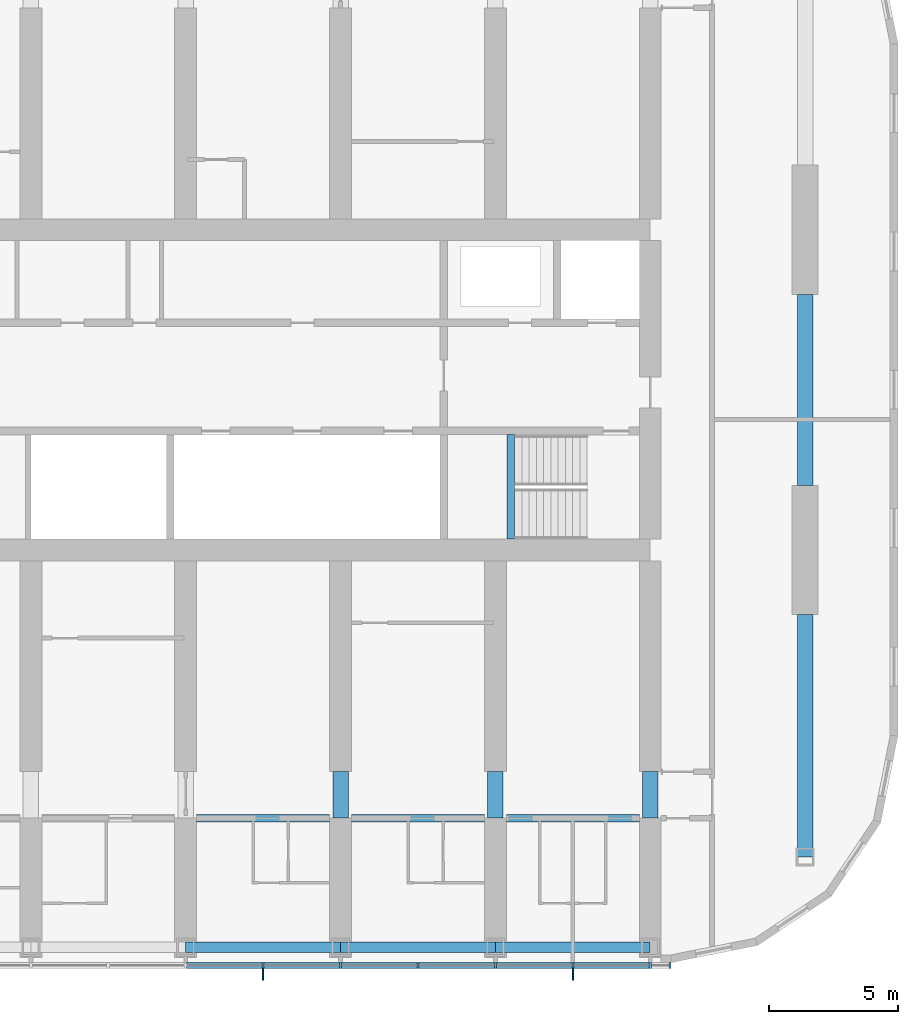
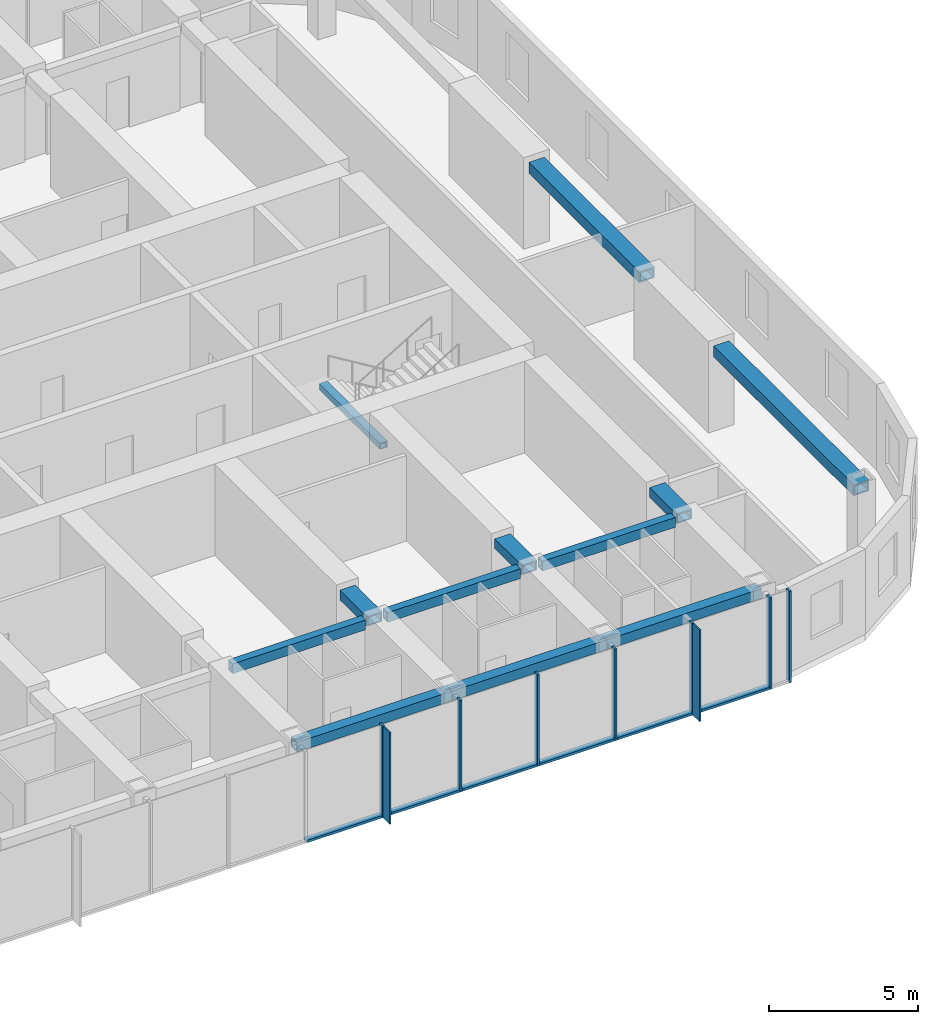
# One storey, part 3 of 22: 15 members, 12 beams, 1 element without a shape of its own.
"""IFC4 building model written with IfcOpenShell, lengths in metres."""

from ifc_helpers import new_model, si_unit, direction, frame, origin, origin_2d, place, context, subcontext, project, spatial, rectangle, hollow_rectangle, extrude, material, material_profile, profile_set, type_object, element, aggregate, save


model = new_model("IFC4")

# Units and contexts
model_context = context("Model", 3, precision=1e-05, world=origin(), true_north=direction((0.0, 1.0)))
body_context = subcontext(model_context, "Body", "Model", "MODEL_VIEW")
ifc_project = project(units=[si_unit("LENGTHUNIT", "METRE"), si_unit("AREAUNIT", "SQUARE_METRE"), si_unit("VOLUMEUNIT", "CUBIC_METRE"), si_unit("PLANEANGLEUNIT", "RADIAN"), si_unit("MASSUNIT", "GRAM", prefix="KILO")], contexts=[model_context])

# Site, building, storey
site_placement = place(None, origin())
site = spatial("IfcSite", under=ifc_project, at=site_placement, CompositionType="ELEMENT")
building_placement = place(site_placement, origin())
building = spatial("IfcBuilding", under=site, at=building_placement, Name="Orbita Commons", CompositionType="ELEMENT")
storey_placement = place(building_placement, frame((0.0, 0.0, 182.35009765625)))
storey = spatial("IfcBuildingStorey", under=building, at=storey_placement, Name="L45", CompositionType="ELEMENT", Elevation=182.35009765625)

# Curtain wall, members
ifc_material_1 = material(Name="Anodised aluminium frame, pale silver", Category="aluminium")
curtain_wall_type = type_object("IfcCurtainWallType", Name="Unitised curtain wall CW-U, full-height vision", PredefinedType="NOTDEFINED", material=ifc_material_1)
curtain_wall_placement = place(storey_placement, origin())
curtain_wall = element("IfcCurtainWall", 1, at=curtain_wall_placement, inside=storey, type_object=curtain_wall_type, Name="Curtain wall south L45", PredefinedType="NOTDEFINED")
ifc_material_2 = material(Name="Anodised aluminium, pale silver", Category="aluminium")
ifc_material_profile_1 = material_profile(ifc_material_2, rectangle(XDim=0.080078125, YDim=0.219970703125, at=origin_2d()), Name="AL 80x220")
ifc_profile_set_1 = profile_set([ifc_material_profile_1], Name="Anodised aluminium, pale silver")
member_type_1 = type_object("IfcMemberType", Name="Curtain wall mullion 80x220", PredefinedType="MULLION", material=ifc_profile_set_1)
member_1_placement = place(storey_placement, frame((51.0, 9.68994140625, -0.25), z_axis=(0.0, 0.0, 1.0), x_axis=(1.0, 0.0, 0.0)))
member_1 = element("IfcMember", 2, at=member_1_placement, type_object=member_type_1, Name="Mullion 13 CW-L45-S", PredefinedType="MULLION", context=body_context, shape_type="SweptSolid", body=[
    extrude(rectangle(XDim=0.080078125, YDim=0.219970703125, at=origin_2d()), origin(), (0.0, 0.0, 1.0), 3.75),
])
member_2_placement = place(storey_placement, frame((54.0, 9.68994140625, -0.25), z_axis=(0.0, 0.0, 1.0), x_axis=(1.0, 0.0, 0.0)))
member_2 = element("IfcMember", 3, at=member_2_placement, type_object=member_type_1, Name="Mullion 14 CW-L45-S", PredefinedType="MULLION", context=body_context, shape_type="SweptSolid", body=[
    extrude(rectangle(XDim=0.080078125, YDim=0.219970703125, at=origin_2d()), origin(), (0.0, 0.0, 1.0), 3.75),
])
member_3_placement = place(storey_placement, frame((57.0, 9.68994140625, -0.25), z_axis=(0.0, 0.0, 1.0), x_axis=(1.0, 0.0, 0.0)))
member_3 = element("IfcMember", 4, at=member_3_placement, type_object=member_type_1, Name="Mullion 15 CW-L45-S", PredefinedType="MULLION", context=body_context, shape_type="SweptSolid", body=[
    extrude(rectangle(XDim=0.080078125, YDim=0.219970703125, at=origin_2d()), origin(), (0.0, 0.0, 1.0), 3.75),
])
member_4_placement = place(storey_placement, frame((60.0, 9.68994140625, -0.25), z_axis=(0.0, 0.0, 1.0), x_axis=(1.0, 0.0, 0.0)))
member_4 = element("IfcMember", 5, at=member_4_placement, type_object=member_type_1, Name="Mullion 16 CW-L45-S", PredefinedType="MULLION", context=body_context, shape_type="SweptSolid", body=[
    extrude(rectangle(XDim=0.080078125, YDim=0.219970703125, at=origin_2d()), origin(), (0.0, 0.0, 1.0), 3.75),
])
member_5_placement = place(storey_placement, frame((63.0, 9.68994140625, -0.25), z_axis=(0.0, 0.0, 1.0), x_axis=(1.0, 0.0, 0.0)))
member_5 = element("IfcMember", 6, at=member_5_placement, type_object=member_type_1, Name="Mullion 17 CW-L45-S", PredefinedType="MULLION", context=body_context, shape_type="SweptSolid", body=[
    extrude(rectangle(XDim=0.080078125, YDim=0.219970703125, at=origin_2d()), origin(), (0.0, 0.0, 1.0), 3.75),
])
member_6_placement = place(storey_placement, frame((66.0, 9.68994140625, -0.25), z_axis=(0.0, 0.0, 1.0), x_axis=(1.0, 0.0, 0.0)))
member_6 = element("IfcMember", 7, at=member_6_placement, type_object=member_type_1, Name="Mullion 18 CW-L45-S", PredefinedType="MULLION", context=body_context, shape_type="SweptSolid", body=[
    extrude(rectangle(XDim=0.080078125, YDim=0.219970703125, at=origin_2d()), origin(), (0.0, 0.0, 1.0), 3.75),
])
member_7_placement = place(storey_placement, frame((66.760009765625, 9.68994140625, -0.25), z_axis=(0.0, 0.0, 1.0), x_axis=(1.0, 0.0, 0.0)))
member_7 = element("IfcMember", 8, at=member_7_placement, type_object=member_type_1, Name="Mullion 19 CW-L45-S", PredefinedType="MULLION", context=body_context, shape_type="SweptSolid", body=[
    extrude(rectangle(XDim=0.080078125, YDim=0.219970703125, at=origin_2d()), origin(), (0.0, 0.0, 1.0), 3.75),
])
ifc_material_3 = material(Name="Anodised aluminium, pale silver", Category="aluminium")
ifc_material_profile_2 = material_profile(ifc_material_3, rectangle(XDim=0.219970703125, YDim=0.10009765625, at=origin_2d()), Name="AL 220x100")
ifc_profile_set_2 = profile_set([ifc_material_profile_2], Name="Anodised aluminium, pale silver")
member_type_2 = type_object("IfcMemberType", Name="Curtain wall stack transom 220x100", PredefinedType="USERDEFINED", material=ifc_profile_set_2)
member_8_placement = place(storey_placement, frame((48.0400390625, 9.68994140625, -0.2001953125), z_axis=(1.0, 0.0, 0.0), x_axis=(0.0, 1.0, 0.0)))
member_8 = element("IfcMember", 9, at=member_8_placement, type_object=member_type_2, Name="Transom 12.1 CW-L45-S", ObjectType="TRANSOM", PredefinedType="USERDEFINED", context=body_context, shape_type="SweptSolid", body=[
    extrude(rectangle(XDim=0.219970703125, YDim=0.10009765625, at=origin_2d()), origin(), (0.0, 0.0, 1.0), 2.919921875),
])
member_9_placement = place(storey_placement, frame((51.0400390625, 9.68994140625, -0.2001953125), z_axis=(1.0, 0.0, 0.0), x_axis=(0.0, 1.0, 0.0)))
member_9 = element("IfcMember", 10, at=member_9_placement, type_object=member_type_2, Name="Transom 13.1 CW-L45-S", ObjectType="TRANSOM", PredefinedType="USERDEFINED", context=body_context, shape_type="SweptSolid", body=[
    extrude(rectangle(XDim=0.219970703125, YDim=0.10009765625, at=origin_2d()), origin(), (0.0, 0.0, 1.0), 2.919921875),
])
member_10_placement = place(storey_placement, frame((54.0400390625, 9.68994140625, -0.2001953125), z_axis=(1.0, 0.0, 0.0), x_axis=(0.0, 1.0, 0.0)))
member_10 = element("IfcMember", 11, at=member_10_placement, type_object=member_type_2, Name="Transom 14.1 CW-L45-S", ObjectType="TRANSOM", PredefinedType="USERDEFINED", context=body_context, shape_type="SweptSolid", body=[
    extrude(rectangle(XDim=0.219970703125, YDim=0.10009765625, at=origin_2d()), origin(), (0.0, 0.0, 1.0), 2.919921875),
])
member_11_placement = place(storey_placement, frame((57.0400390625, 9.68994140625, -0.2001953125), z_axis=(1.0, 0.0, 0.0), x_axis=(0.0, 1.0, 0.0)))
member_11 = element("IfcMember", 12, at=member_11_placement, type_object=member_type_2, Name="Transom 15.1 CW-L45-S", ObjectType="TRANSOM", PredefinedType="USERDEFINED", context=body_context, shape_type="SweptSolid", body=[
    extrude(rectangle(XDim=0.219970703125, YDim=0.10009765625, at=origin_2d()), origin(), (0.0, 0.0, 1.0), 2.919921875),
])
member_12_placement = place(storey_placement, frame((60.0400390625, 9.68994140625, -0.2001953125), z_axis=(1.0, 0.0, 0.0), x_axis=(0.0, 1.0, 0.0)))
member_12 = element("IfcMember", 13, at=member_12_placement, type_object=member_type_2, Name="Transom 16.1 CW-L45-S", ObjectType="TRANSOM", PredefinedType="USERDEFINED", context=body_context, shape_type="SweptSolid", body=[
    extrude(rectangle(XDim=0.219970703125, YDim=0.10009765625, at=origin_2d()), origin(), (0.0, 0.0, 1.0), 2.919921875),
])
member_13_placement = place(storey_placement, frame((63.0400390625, 9.68994140625, -0.2001953125), z_axis=(1.0, 0.0, 0.0), x_axis=(0.0, 1.0, 0.0)))
member_13 = element("IfcMember", 14, at=member_13_placement, type_object=member_type_2, Name="Transom 17.1 CW-L45-S", ObjectType="TRANSOM", PredefinedType="USERDEFINED", context=body_context, shape_type="SweptSolid", body=[
    extrude(rectangle(XDim=0.219970703125, YDim=0.10009765625, at=origin_2d()), origin(), (0.0, 0.0, 1.0), 2.919921875),
])

# Beams
ifc_material_4 = material(Name="Steel ASTM A572 Gr 50 welded plate", Category="steel")
ifc_material_profile_3 = material_profile(ifc_material_4, hollow_rectangle(XDim=0.300048828125, YDim=0.25, WallThickness=0.02490234375, at=origin_2d()), Name="BOX 250x300x25")
ifc_profile_set_3 = profile_set([ifc_material_profile_3], Name="Steel ASTM A572 Gr 50 welded plate")
beam_type_1 = type_object("IfcBeamType", Name="Stair landing beam steel BOX 250x300x25", PredefinedType="BEAM", material=ifc_profile_set_3)
beam_1_placement = place(storey_placement, frame((60.60009765625, 26.2099609375, 1.5498046875), z_axis=(0.0, 1.0, 0.0), x_axis=(-1.0, 0.0, 0.0)))
element("IfcBeam", 15, at=beam_1_placement, inside=storey, type_object=beam_type_1, Name="Stair S2 landing beam L45 1", PredefinedType="BEAM", context=body_context, shape_type="SweptSolid", body=[
    extrude(hollow_rectangle(XDim=0.300048828125, YDim=0.25, WallThickness=0.02490234375, at=origin_2d()), origin(), (0.0, 0.0, 1.0), 4.054931640625),
])
ifc_material_5 = material(Name="Steel ASTM A572 Gr 50 welded plate", Category="steel")
ifc_material_profile_4 = material_profile(ifc_material_5, hollow_rectangle(XDim=0.300048828125, YDim=0.39990234375, WallThickness=0.0400390625, at=origin_2d()), Name="BOX 400x300x40")
ifc_profile_set_4 = profile_set([ifc_material_profile_4], Name="Steel ASTM A572 Gr 50 welded plate")
beam_type_2 = type_object("IfcBeamType", Name="Steel corridor link BOX 400x300x40", PredefinedType="BEAM", material=ifc_profile_set_4)
for number, where, z_axis, x_axis, name in (
    (16, (48.425048828125, 15.39990234375, 3.2998046875), (1.0, 0.0, 0.0), (0.0, 1.0, 0.0), "Corridor beam SA 9-10 L45"),
    (17, (54.425048828125, 15.39990234375, 3.2998046875), (1.0, 0.0, 0.0), (0.0, 1.0, 0.0), "Corridor beam SA 10-11 L45"),
    (18, (60.425048828125, 15.39990234375, 3.2998046875), (1.0, 0.0, 0.0), (0.0, 1.0, 0.0), "Corridor beam SA 11-12 L45"),
):
    element("IfcBeam", number, at=place(storey_placement, frame(where, z_axis=z_axis, x_axis=x_axis)), inside=storey, type_object=beam_type_2, Name=name, PredefinedType="BEAM", context=body_context, shape_type="SweptSolid", body=[
        extrude(hollow_rectangle(XDim=0.300048828125, YDim=0.39990234375, WallThickness=0.0400390625, at=origin_2d()), origin(), (0.0, 0.0, 1.0), 5.14990234375),
    ])
ifc_material_6 = material(Name="Steel ASTM A572 Gr 50 welded plate", Category="steel")
ifc_material_profile_5 = material_profile(ifc_material_6, hollow_rectangle(XDim=0.60009765625, YDim=0.39990234375, WallThickness=0.050048828125, at=origin_2d()), Name="BOX 400x600x50")
ifc_profile_set_5 = profile_set([ifc_material_profile_5], Name="Steel ASTM A572 Gr 50 welded plate")
beam_type_3 = type_object("IfcBeamType", Name="Steel coupling link BOX 400x600x50", PredefinedType="LINTEL", material=ifc_profile_set_5)
for number, where, z_axis, x_axis, name in (
    (19, (54.0, 15.39990234375, 3.2998046875), (0.0, 1.0, 0.0), (-1.0, 0.0, 0.0), "Coupling beam 10 south L45"),
    (20, (60.0, 15.39990234375, 3.2998046875), (0.0, 1.0, 0.0), (-1.0, 0.0, 0.0), "Coupling beam 11 south L45"),
    (21, (66.0, 15.39990234375, 3.2998046875), (0.0, 1.0, 0.0), (-1.0, 0.0, 0.0), "Coupling beam 12 south L45"),
):
    element("IfcBeam", number, at=place(storey_placement, frame(where, z_axis=z_axis, x_axis=x_axis)), inside=storey, type_object=beam_type_3, Name=name, PredefinedType="LINTEL", context=body_context, shape_type="SweptSolid", body=[
        extrude(hollow_rectangle(XDim=0.60009765625, YDim=0.39990234375, WallThickness=0.050048828125, at=origin_2d()), origin(), (0.0, 0.0, 1.0), 1.800048828125),
    ])
ifc_material_7 = material(Name="Steel ASTM A572 Gr 50 welded plate", Category="steel")
ifc_material_profile_6 = material_profile(ifc_material_7, hollow_rectangle(XDim=0.60009765625, YDim=0.449951171875, WallThickness=0.06005859375, at=origin_2d()), Name="BOX 450x600x60")
ifc_profile_set_6 = profile_set([ifc_material_profile_6], Name="Steel ASTM A572 Gr 50 welded plate")
beam_type_4 = type_object("IfcBeamType", Name="Steel end frame link BOX 450x600x60", PredefinedType="BEAM", material=ifc_profile_set_6)
beam_2_placement = place(storey_placement, frame((72.0, 13.89990234375, 3.27490234375), z_axis=(0.0, 1.0, 0.0), x_axis=(-1.0, 0.0, 0.0)))
element("IfcBeam", 22, at=beam_2_placement, inside=storey, type_object=beam_type_4, Name="End frame beam 13 B-C L45", PredefinedType="BEAM", context=body_context, shape_type="SweptSolid", body=[
    extrude(hollow_rectangle(XDim=0.60009765625, YDim=0.449951171875, WallThickness=0.06005859375, at=origin_2d()), origin(), (0.0, 0.0, 1.0), 9.400146484375),
])
beam_3_placement = place(storey_placement, frame((72.0, 28.300048828125, 3.27490234375), z_axis=(0.0, 1.0, 0.0), x_axis=(-1.0, 0.0, 0.0)))
element("IfcBeam", 23, at=beam_3_placement, inside=storey, type_object=beam_type_4, Name="End frame beam 13 C-D L45", PredefinedType="BEAM", context=body_context, shape_type="SweptSolid", body=[
    extrude(hollow_rectangle(XDim=0.60009765625, YDim=0.449951171875, WallThickness=0.06005859375, at=origin_2d()), origin(), (0.0, 0.0, 1.0), 7.39990234375),
])
ifc_material_8 = material(Name="Steel ASTM A572 Gr 50 welded plate", Category="steel")
ifc_material_profile_7 = material_profile(ifc_material_8, hollow_rectangle(XDim=0.39990234375, YDim=0.39990234375, WallThickness=0.0400390625, at=origin_2d()), Name="BOX 400x400x40")
ifc_profile_set_7 = profile_set([ifc_material_profile_7], Name="Steel ASTM A572 Gr 50 welded plate")
beam_type_5 = type_object("IfcBeamType", Name="Steel spandrel BOX 400x400x40", PredefinedType="SPANDREL", material=ifc_profile_set_7)
for number, where, z_axis, x_axis, name in (
    (24, (48.0, 10.39990234375, 3.2998046875), (1.0, 0.0, 0.0), (0.0, 1.0, 0.0), "Spandrel beam B 9-10 L45"),
    (25, (54.0, 10.39990234375, 3.2998046875), (1.0, 0.0, 0.0), (0.0, 1.0, 0.0), "Spandrel beam B 10-11 L45"),
    (26, (60.0, 10.39990234375, 3.2998046875), (1.0, 0.0, 0.0), (0.0, 1.0, 0.0), "Spandrel beam B 11-12 L45"),
):
    element("IfcBeam", number, at=place(storey_placement, frame(where, z_axis=z_axis, x_axis=x_axis)), inside=storey, type_object=beam_type_5, Name=name, PredefinedType="SPANDREL", context=body_context, shape_type="SweptSolid", body=[
        extrude(hollow_rectangle(XDim=0.39990234375, YDim=0.39990234375, WallThickness=0.0400390625, at=origin_2d()), origin(), (0.0, 0.0, 1.0), 6.0),
    ])

# Member
ifc_material_9 = material(Name="Anodised aluminium, pale silver", Category="aluminium")
ifc_material_profile_8 = material_profile(ifc_material_9, rectangle(XDim=0.06005859375, YDim=0.449951171875, at=origin_2d()), Name="FIN 60x450")
ifc_profile_set_8 = profile_set([ifc_material_profile_8], Name="Anodised aluminium, pale silver")
member_type_3 = type_object("IfcMemberType", Name="Vertical fin 60x450 pale aluminium", PredefinedType="USERDEFINED", material=ifc_profile_set_8)
member_14_placement = place(storey_placement, frame((51.0, 9.35498046875, -0.25), z_axis=(0.0, 0.0, 1.0), x_axis=(1.0, 0.0, 0.0)))
member_14 = element("IfcMember", 27, at=member_14_placement, type_object=member_type_3, Name="Fin 13 CW-L45-S", ObjectType="FIN", PredefinedType="USERDEFINED", context=body_context, shape_type="SweptSolid", body=[
    extrude(rectangle(XDim=0.06005859375, YDim=0.449951171875, at=origin_2d()), origin(), (0.0, 0.0, 1.0), 3.75),
])

member_15_placement = place(storey_placement, frame((63.0, 9.35498046875, -0.25), z_axis=(0.0, 0.0, 1.0), x_axis=(1.0, 0.0, 0.0)))
member_15 = element("IfcMember", 28, at=member_15_placement, type_object=member_type_3, Name="Fin 17 CW-L45-S", ObjectType="FIN", PredefinedType="USERDEFINED", context=body_context, shape_type="SweptSolid", body=[
    extrude(rectangle(XDim=0.06005859375, YDim=0.449951171875, at=origin_2d()), origin(), (0.0, 0.0, 1.0), 3.75),
])

aggregate(curtain_wall, [member_1, member_14, member_2, member_3, member_4, member_5, member_15, member_6, member_7, member_8, member_9, member_10, member_11, member_12, member_13])

save(model, "model.ifc")
